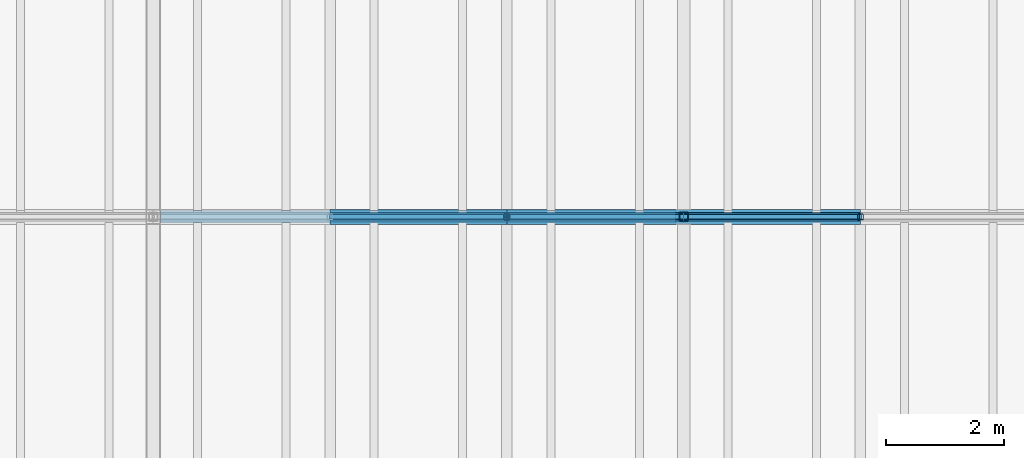
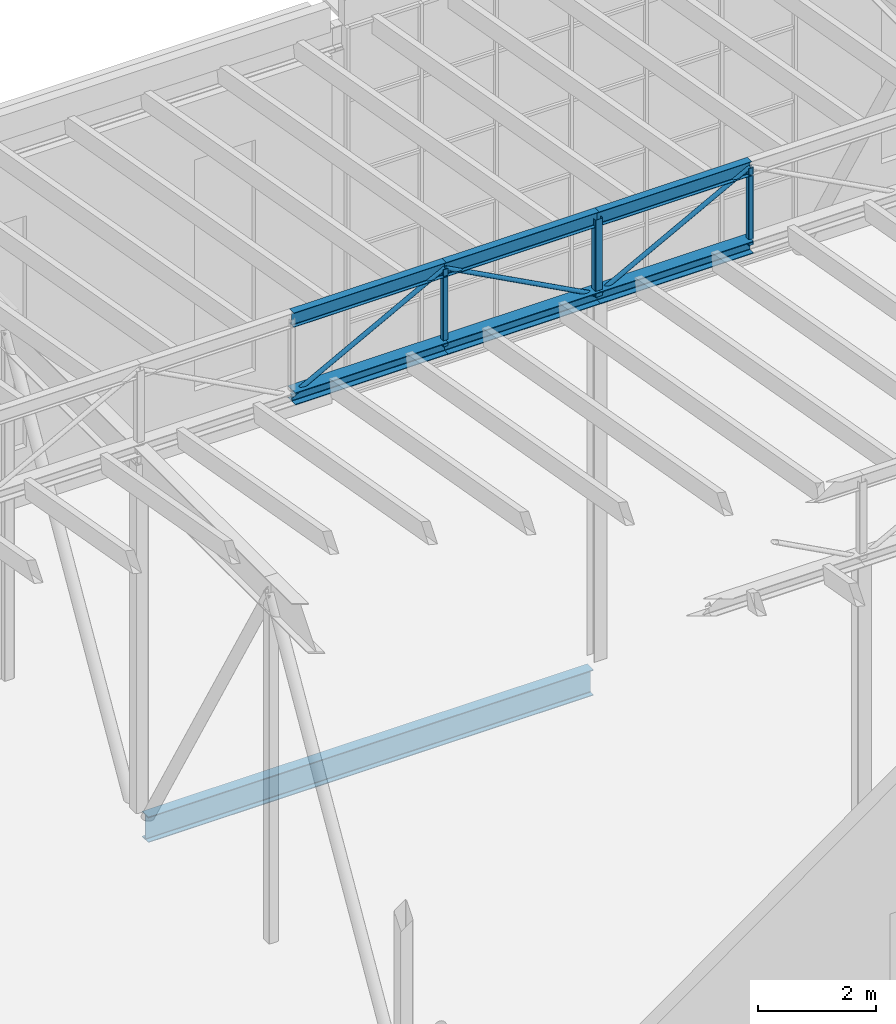
# One storey, part 42 of 90: 12 members, 1 beam.
"""IFC4 building model written with IfcOpenShell, lengths in metres."""

from ifc_helpers import new_model, si_unit, direction, frame, origin, origin_2d, place, context, subcontext, project, spatial, hollow_rectangle, hollow_circle, i_section, extrude, material, material_profile, profile_set, type_object, element, save


model = new_model("IFC4")

# Units and contexts
model_context = context("Model", 3, precision=1e-05, world=origin(), true_north=direction((0.0, 1.0)))
body_context = subcontext(model_context, "Body", "Model", "MODEL_VIEW")
ifc_project = project(units=[si_unit("LENGTHUNIT", "METRE"), si_unit("AREAUNIT", "SQUARE_METRE"), si_unit("VOLUMEUNIT", "CUBIC_METRE"), si_unit("PLANEANGLEUNIT", "RADIAN"), si_unit("MASSUNIT", "GRAM", prefix="KILO")], contexts=[model_context])

# Site, building, storey
site_placement = place(None, origin())
site = spatial("IfcSite", under=ifc_project, at=site_placement, CompositionType="ELEMENT")
building_placement = place(site_placement, origin())
building = spatial("IfcBuilding", under=site, at=building_placement, Name="Halyard Row Museum", CompositionType="ELEMENT")
storey_placement = place(building_placement, frame((0.0, 0.0, 13.39990234375)))
storey = spatial("IfcBuildingStorey", under=building, at=storey_placement, Name="L03", CompositionType="ELEMENT", Elevation=13.39990234375)

# Beam
ifc_material_1 = material(Name="Steel Grade 300", Category="steel")
ifc_material_profile_1 = material_profile(ifc_material_1, i_section(OverallWidth=0.208984375, OverallDepth=0.532958984375, WebThickness=0.01025390625, FlangeThickness=0.015625, FilletRadius=0.013916015625, at=origin_2d()), Name="530UB92.4")
ifc_profile_set_1 = profile_set([ifc_material_profile_1], Name="Steel Grade 300")
beam_type = type_object("IfcBeamType", Name="Girder beam 530UB92.4", PredefinedType="BEAM", material=ifc_profile_set_1)
beam_placement = place(storey_placement, frame((36.125, 36.0, -0.431396484375), z_axis=(1.0, 0.0, 0.0), x_axis=(0.0, 1.0, 0.0)))
element("IfcBeam", 1, at=beam_placement, inside=storey, type_object=beam_type, Name="Beam L03-028", PredefinedType="BEAM", context=body_context, shape_type="SweptSolid", body=[
    extrude(i_section(OverallWidth=0.208984375, OverallDepth=0.532958984375, WebThickness=0.01025390625, FlangeThickness=0.015625, FilletRadius=0.013916015625, at=origin_2d()), origin(), (0.0, 0.0, 1.0), 8.748046875),
])

# Members
ifc_material_2 = material(Name="Steel Grade 300", Category="steel")
ifc_material_profile_2 = material_profile(ifc_material_2, i_section(OverallWidth=0.25390625, OverallDepth=0.25390625, WebThickness=0.008544921875, FlangeThickness=0.01416015625, FilletRadius=0.013916015625, at=origin_2d()), Name="250UC72.9")
ifc_profile_set_2 = profile_set([ifc_material_profile_2], Name="Steel Grade 300")
member_type_1 = type_object("IfcMemberType", Name="Valley truss bottom chord 250UC72.9", PredefinedType="CHORD", material=ifc_profile_set_2)
for number, where, z_axis, x_axis, name in (
    (2, (39.0, 36.0, 7.527099609375), (1.0, 0.0, 0.0), (0.0, 1.0, 0.0), "V1-VT3 bottom chord 2.2"),
    (3, (42.0, 36.0, 7.527099609375), (1.0, 0.0, 0.0), (0.0, 1.0, 0.0), "V1-VT3 bottom chord 2.3"),
    (4, (45.0, 36.0, 7.527099609375), (1.0, 0.0, 0.0), (0.0, 1.0, 0.0), "V1-VT3 bottom chord 3.1"),
):
    element("IfcMember", number, at=place(storey_placement, frame(where, z_axis=z_axis, x_axis=x_axis)), inside=storey, type_object=member_type_1, Name=name, PredefinedType="CHORD", context=body_context, shape_type="SweptSolid", body=[
        extrude(i_section(OverallWidth=0.25390625, OverallDepth=0.25390625, WebThickness=0.008544921875, FlangeThickness=0.01416015625, FilletRadius=0.013916015625, at=origin_2d()), origin(), (0.0, 0.0, 1.0), 3.0),
    ])
ifc_material_3 = material(Name="Steel Grade C250L0", Category="steel")
ifc_material_profile_3 = material_profile(ifc_material_3, hollow_circle(Radius=0.04443359375, WallThickness=0.0048828125, at=origin_2d()), Name="88.9x5.0CHS")
ifc_profile_set_3 = profile_set([ifc_material_profile_3], Name="Steel Grade C250L0")
member_type_2 = type_object("IfcMemberType", Name="Valley truss diagonal 88.9x5.0CHS", PredefinedType="BRACE", material=ifc_profile_set_3)
for number, where, z_axis, x_axis, name in (
    (5, (39.0, 36.0, 7.527099609375), (0.881863759518, 0.0, 0.471504305016), (0.0, 1.0, 0.0), "V1-VT3 diagonal 2.2"),
    (6, (42.0, 36.0, 9.131103515625), (0.881863759518, 0.0, -0.471504305016), (0.0, 1.0, 0.0), "V1-VT3 diagonal 2.3"),
    (7, (45.0, 36.0, 7.527099609375), (0.881863759518, 0.0, 0.471504305016), (0.0, 1.0, 0.0), "V1-VT3 diagonal 3.1"),
):
    element("IfcMember", number, at=place(storey_placement, frame(where, z_axis=z_axis, x_axis=x_axis)), inside=storey, type_object=member_type_2, Name=name, PredefinedType="BRACE", context=body_context, shape_type="SweptSolid", body=[
        extrude(hollow_circle(Radius=0.04443359375, WallThickness=0.0048828125, at=origin_2d()), origin(), (0.0, 0.0, 1.0), 3.40185546875),
    ])
ifc_material_4 = material(Name="Steel Grade C350L0", Category="steel")
ifc_material_profile_4 = material_profile(ifc_material_4, hollow_rectangle(XDim=0.10009765625, YDim=0.10009765625, WallThickness=0.006103515625, InnerFilletRadius=0.009033203125, OuterFilletRadius=0.014892578125, at=origin_2d()), Name="100x100x6.0SHS")
ifc_profile_set_4 = profile_set([ifc_material_profile_4], Name="Steel Grade C350L0")
member_type_3 = type_object("IfcMemberType", Name="Valley truss post 100x100x6.0SHS", PredefinedType="POST", material=ifc_profile_set_4)
for number, where, z_axis, x_axis, name in (
    (8, (42.0, 36.0, 7.527099609375), (0.0, 0.0, 1.0), (1.0, 0.0, 0.0), "V1-VT3 post 2.2"),
    (9, (48.0, 36.0, 7.527099609375), (0.0, 0.0, 1.0), (1.0, 0.0, 0.0), "V1-VT3 post 3.1"),
):
    element("IfcMember", number, at=place(storey_placement, frame(where, z_axis=z_axis, x_axis=x_axis)), inside=storey, type_object=member_type_3, Name=name, PredefinedType="POST", context=body_context, shape_type="SweptSolid", body=[
        extrude(hollow_rectangle(XDim=0.10009765625, YDim=0.10009765625, WallThickness=0.006103515625, InnerFilletRadius=0.009033203125, OuterFilletRadius=0.014892578125, at=origin_2d()), origin(), (0.0, 0.0, 1.0), 1.60400390625),
    ])
ifc_material_5 = material(Name="Steel Grade C350L0", Category="steel")
ifc_material_profile_5 = material_profile(ifc_material_5, hollow_rectangle(XDim=0.14990234375, YDim=0.14990234375, WallThickness=0.006103515625, InnerFilletRadius=0.009033203125, OuterFilletRadius=0.014892578125, at=origin_2d()), Name="150x150x6.0SHS")
ifc_profile_set_5 = profile_set([ifc_material_profile_5], Name="Steel Grade C350L0")
member_type_4 = type_object("IfcMemberType", Name="Valley truss post 150x150x6.0SHS", PredefinedType="POST", material=ifc_profile_set_5)
member_placement = place(storey_placement, frame((45.0, 36.0, 7.527099609375), z_axis=(0.0, 0.0, 1.0), x_axis=(1.0, 0.0, 0.0)))
element("IfcMember", 10, at=member_placement, inside=storey, type_object=member_type_4, Name="V1-VT3 post 2.3", PredefinedType="POST", context=body_context, shape_type="SweptSolid", body=[
    extrude(hollow_rectangle(XDim=0.14990234375, YDim=0.14990234375, WallThickness=0.006103515625, InnerFilletRadius=0.009033203125, OuterFilletRadius=0.014892578125, at=origin_2d()), origin(), (0.0, 0.0, 1.0), 1.60400390625),
])
ifc_material_6 = material(Name="Steel Grade 300", Category="steel")
ifc_material_profile_6 = material_profile(ifc_material_6, i_section(OverallWidth=0.14892578125, OverallDepth=0.298095703125, WebThickness=0.005615234375, FlangeThickness=0.008056640625, FilletRadius=0.012939453125, at=origin_2d()), Name="310UB32.0")
ifc_profile_set_6 = profile_set([ifc_material_profile_6], Name="Steel Grade 300")
member_type_5 = type_object("IfcMemberType", Name="Valley truss top chord 310UB32.0", PredefinedType="CHORD", material=ifc_profile_set_6)
for number, where, z_axis, x_axis, name in (
    (11, (39.0, 36.0, 9.131103515625), (1.0, 0.0, 0.0), (0.0, 1.0, 0.0), "V1-VT3 top chord 2.2"),
    (12, (42.0, 36.0, 9.131103515625), (1.0, 0.0, 0.0), (0.0, 1.0, 0.0), "V1-VT3 top chord 2.3"),
    (13, (45.0, 36.0, 9.131103515625), (1.0, 0.0, 0.0), (0.0, 1.0, 0.0), "V1-VT3 top chord 3.1"),
):
    element("IfcMember", number, at=place(storey_placement, frame(where, z_axis=z_axis, x_axis=x_axis)), inside=storey, type_object=member_type_5, Name=name, PredefinedType="CHORD", context=body_context, shape_type="SweptSolid", body=[
        extrude(i_section(OverallWidth=0.14892578125, OverallDepth=0.298095703125, WebThickness=0.005615234375, FlangeThickness=0.008056640625, FilletRadius=0.012939453125, at=origin_2d()), origin(), (0.0, 0.0, 1.0), 3.0),
    ])

save(model, "model.ifc")
